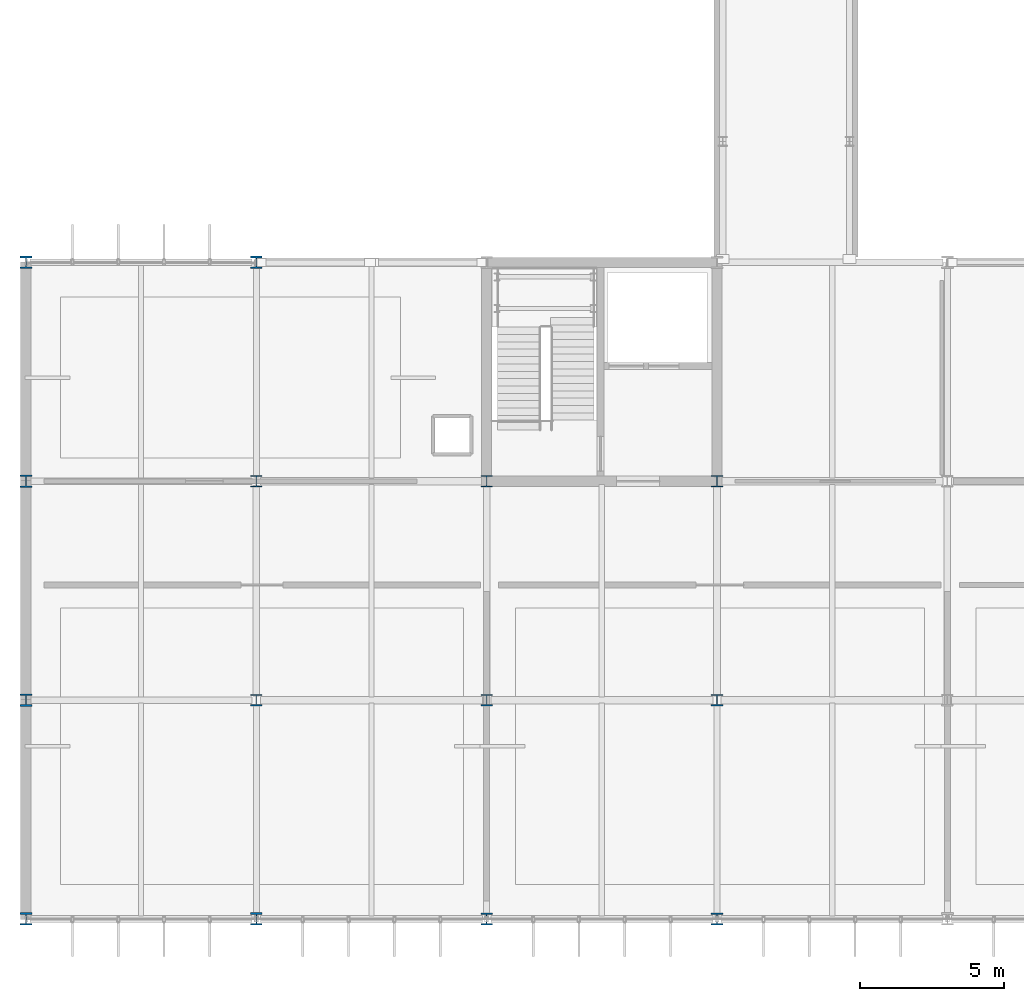
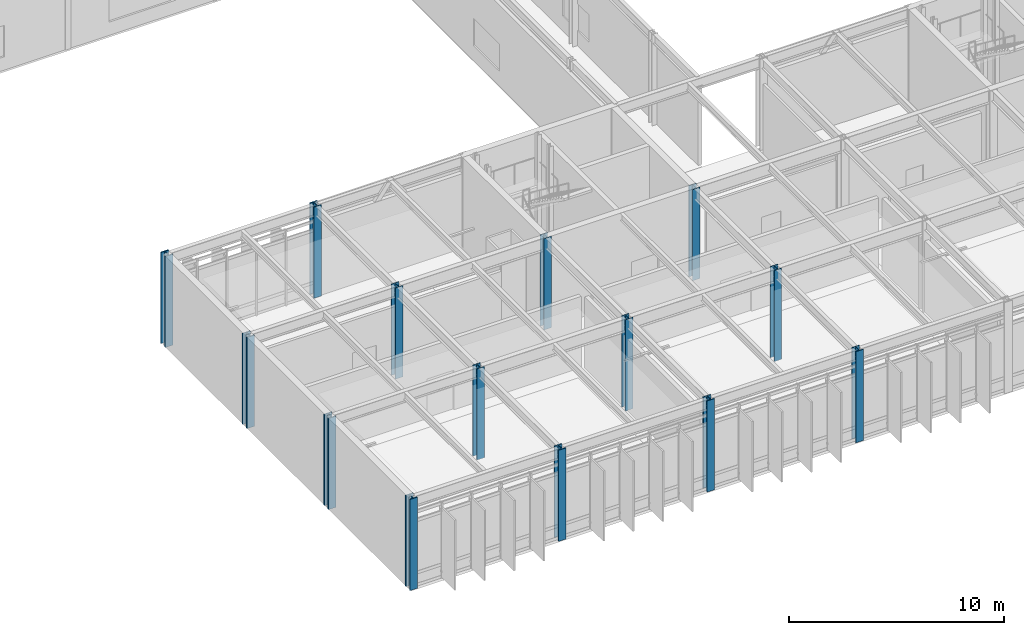
# One storey, part 1 of 94: 14 columns.
"""IFC4 building model written with IfcOpenShell, lengths in metres."""

from ifc_helpers import new_model, si_unit, direction, frame, origin, origin_2d, place, context, subcontext, project, spatial, i_section, extrude, material, material_profile, profile_set, type_object, element, save


model = new_model("IFC4")

# Units and contexts
model_context = context("Model", 3, precision=1e-05, world=origin(), true_north=direction((0.0, 1.0)))
body_context = subcontext(model_context, "Body", "Model", "MODEL_VIEW")
ifc_project = project(units=[si_unit("LENGTHUNIT", "METRE"), si_unit("AREAUNIT", "SQUARE_METRE"), si_unit("VOLUMEUNIT", "CUBIC_METRE"), si_unit("PLANEANGLEUNIT", "RADIAN"), si_unit("MASSUNIT", "GRAM", prefix="KILO")], contexts=[model_context])

# Site, building, storey
site_placement = place(None, origin())
site = spatial("IfcSite", under=ifc_project, at=site_placement, CompositionType="ELEMENT")
building_placement = place(site_placement, origin())
building = spatial("IfcBuilding", under=site, at=building_placement, Name="Zulena Civic Courthouse", CompositionType="ELEMENT")
storey_placement = place(building_placement, frame((0.0, 0.0, 5.39990234375)))
storey = spatial("IfcBuildingStorey", under=building, at=storey_placement, Name="L01", CompositionType="ELEMENT", Elevation=5.39990234375)

# Columns
ifc_material = material(Name="Steel ASTM A992 Grade 50", Category="steel")
ifc_material_profile_1 = material_profile(ifc_material, i_section(OverallWidth=0.40087890625, OverallDepth=0.39892578125, WebThickness=0.02490234375, FlangeThickness=0.03955078125, FilletRadius=0.01513671875, at=origin_2d()), Name="W14X211")
ifc_profile_set_1 = profile_set([ifc_material_profile_1], Name="Steel ASTM A992 Grade 50")
column_type_1 = type_object("IfcColumnType", Name="Col_W14X211", PredefinedType="COLUMN", material=ifc_profile_set_1)
for number, where, z_axis, x_axis, name in (
    (1, (12.0, 7.60009765625, 0.0), (0.0, 0.0, 1.0), (1.0, 0.0, 0.0), "col:V2:L01:12.0:7.6"),
    (2, (12.0, 15.199951171875, 0.0), (0.0, 0.0, 1.0), (1.0, 0.0, 0.0), "col:V2:L01:12.0:15.2"),
    (3, (20.0, 7.60009765625, 0.0), (0.0, 0.0, 1.0), (1.0, 0.0, 0.0), "col:V2:L01:20.0:7.6"),
    (4, (20.0, 15.199951171875, 0.0), (0.0, 0.0, 1.0), (1.0, 0.0, 0.0), "col:V2:L01:20.0:15.2"),
    (5, (28.0, 7.60009765625, 0.0), (0.0, 0.0, 1.0), (1.0, 0.0, 0.0), "col:V2:L01:28.0:7.6"),
    (6, (28.0, 15.199951171875, 0.0), (0.0, 0.0, 1.0), (1.0, 0.0, 0.0), "col:V2:L01:28.0:15.2"),
):
    element("IfcColumn", number, at=place(storey_placement, frame(where, z_axis=z_axis, x_axis=x_axis)), inside=storey, type_object=column_type_1, Name=name, PredefinedType="COLUMN", context=body_context, shape_type="SweptSolid", body=[
        extrude(i_section(OverallWidth=0.40087890625, OverallDepth=0.39892578125, WebThickness=0.02490234375, FlangeThickness=0.03955078125, FilletRadius=0.01513671875, at=origin_2d()), origin(), (0.0, 0.0, 1.0), 5.18505859375),
    ])
ifc_material_profile_2 = material_profile(ifc_material, i_section(OverallWidth=0.406005859375, OverallDepth=0.416015625, WebThickness=0.02978515625, FlangeThickness=0.048095703125, FilletRadius=0.01513671875, at=origin_2d()), Name="W14X257")
ifc_profile_set_2 = profile_set([ifc_material_profile_2], Name="Steel ASTM A992 Grade 50")
column_type_2 = type_object("IfcColumnType", Name="Col_W14X257", PredefinedType="COLUMN", material=ifc_profile_set_2)
for number, where, z_axis, x_axis, name in (
    (7, (20.0, 0.0, 0.0), (0.0, 0.0, 1.0), (1.0, 0.0, 0.0), "col:V2:L01:20.0:0.0"),
    (8, (28.0, 0.0, 0.0), (0.0, 0.0, 1.0), (1.0, 0.0, 0.0), "col:V2:L01:28.0:0.0"),
):
    element("IfcColumn", number, at=place(storey_placement, frame(where, z_axis=z_axis, x_axis=x_axis)), inside=storey, type_object=column_type_2, Name=name, PredefinedType="COLUMN", context=body_context, shape_type="SweptSolid", body=[
        extrude(i_section(OverallWidth=0.406005859375, OverallDepth=0.416015625, WebThickness=0.02978515625, FlangeThickness=0.048095703125, FilletRadius=0.01513671875, at=origin_2d()), origin(), (0.0, 0.0, 1.0), 5.18505859375),
    ])
ifc_material_profile_3 = material_profile(ifc_material, i_section(OverallWidth=0.412109375, OverallDepth=0.43505859375, WebThickness=0.035888671875, FlangeThickness=0.057373046875, FilletRadius=0.01513671875, at=origin_2d()), Name="W14X311")
ifc_profile_set_3 = profile_set([ifc_material_profile_3], Name="Steel ASTM A992 Grade 50")
column_type_3 = type_object("IfcColumnType", Name="Col_W14X311", PredefinedType="COLUMN", material=ifc_profile_set_3)
for number, where, z_axis, x_axis, name in (
    (9, (4.0, 0.0, 0.0), (0.0, 0.0, 1.0), (1.0, 0.0, 0.0), "col:V2:L01:4.0:0.0"),
    (10, (4.0, 7.60009765625, 0.0), (0.0, 0.0, 1.0), (1.0, 0.0, 0.0), "col:V2:L01:4.0:7.6"),
    (11, (4.0, 15.199951171875, 0.0), (0.0, 0.0, 1.0), (1.0, 0.0, 0.0), "col:V2:L01:4.0:15.2"),
    (12, (4.0, 22.800048828125, 0.0), (0.0, 0.0, 1.0), (1.0, 0.0, 0.0), "col:V2:L01:4.0:22.8"),
    (13, (12.0, 0.0, 0.0), (0.0, 0.0, 1.0), (1.0, 0.0, 0.0), "col:V2:L01:12.0:0.0"),
    (14, (12.0, 22.800048828125, 0.0), (0.0, 0.0, 1.0), (1.0, 0.0, 0.0), "col:V2:L01:12.0:22.8"),
):
    element("IfcColumn", number, at=place(storey_placement, frame(where, z_axis=z_axis, x_axis=x_axis)), inside=storey, type_object=column_type_3, Name=name, PredefinedType="COLUMN", context=body_context, shape_type="SweptSolid", body=[
        extrude(i_section(OverallWidth=0.412109375, OverallDepth=0.43505859375, WebThickness=0.035888671875, FlangeThickness=0.057373046875, FilletRadius=0.01513671875, at=origin_2d()), origin(), (0.0, 0.0, 1.0), 5.18505859375),
    ])

save(model, "model.ifc")
